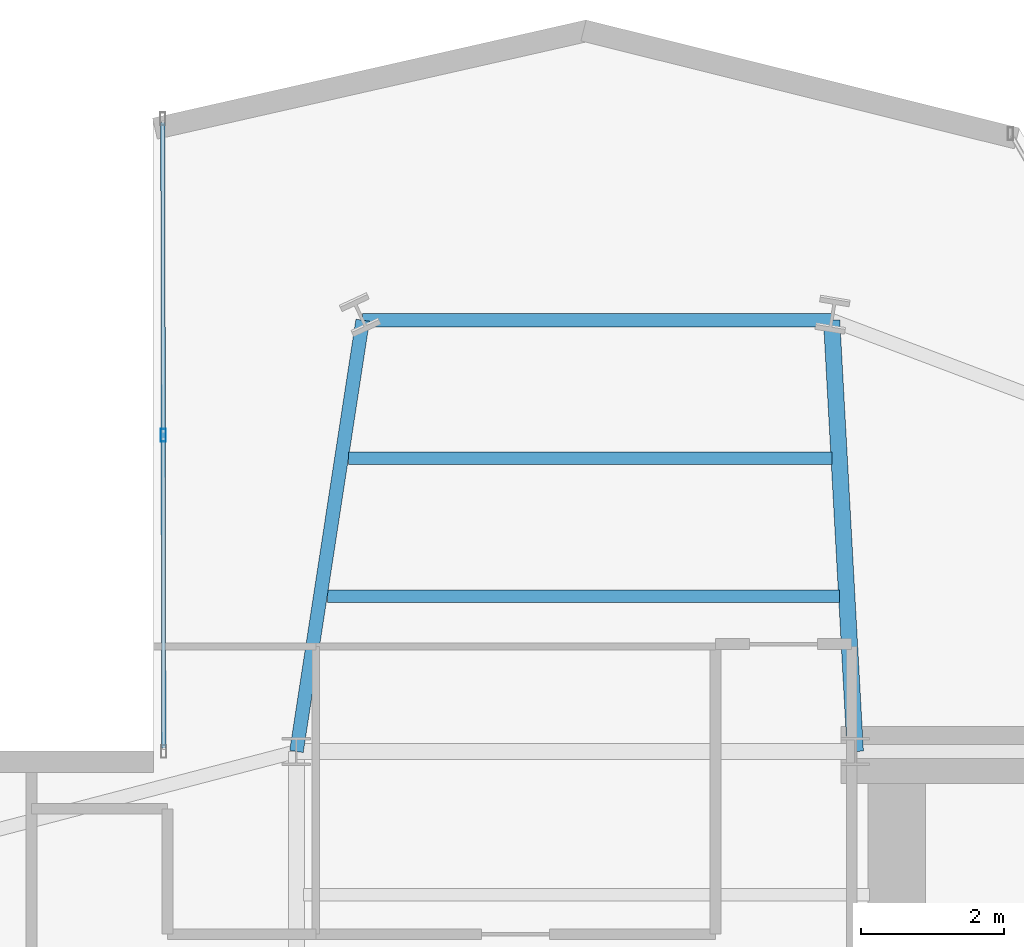
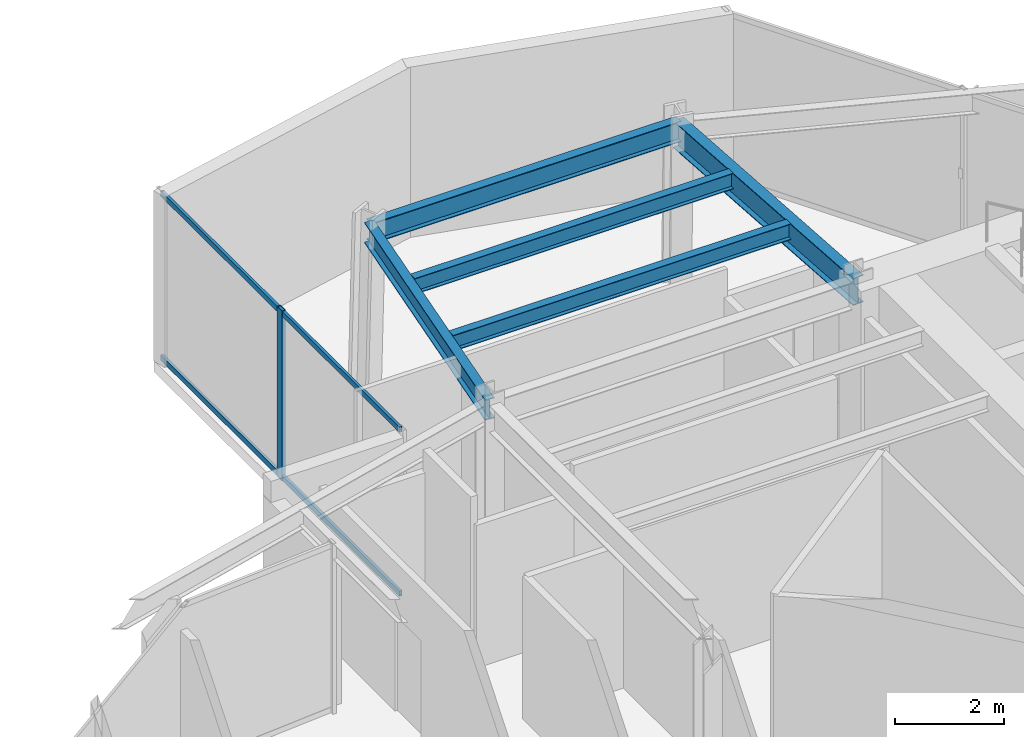
# One storey, part 11 of 25: 5 beams, 3 members, 1 element without a shape of its own.
"""IFC4 building model written with IfcOpenShell, lengths in metres."""

from ifc_helpers import new_model, si_unit, direction, frame, origin, origin_2d, place, context, subcontext, project, spatial, hollow_rectangle, i_section, extrude, material, layer, layer_set, material_profile, profile_set, type_object, element, aggregate, save


model = new_model("IFC4")

# Units and contexts
model_context = context("Model", 3, precision=1e-05, world=origin(), true_north=direction((0.0, 1.0)))
body_context = subcontext(model_context, "Body", "Model", "MODEL_VIEW")
ifc_project = project(units=[si_unit("LENGTHUNIT", "METRE"), si_unit("AREAUNIT", "SQUARE_METRE"), si_unit("VOLUMEUNIT", "CUBIC_METRE"), si_unit("PLANEANGLEUNIT", "RADIAN"), si_unit("MASSUNIT", "GRAM", prefix="KILO")], contexts=[model_context])

# Site, building, storey
site_placement = place(None, origin())
site = spatial("IfcSite", under=ifc_project, at=site_placement, CompositionType="ELEMENT")
building_placement = place(site_placement, origin())
building = spatial("IfcBuilding", under=site, at=building_placement, Name="Veymaron Broadcast Tower", CompositionType="ELEMENT")
storey_placement = place(building_placement, frame((0.0, 0.0, 173.550048828125)))
storey = spatial("IfcBuildingStorey", under=building, at=storey_placement, Name="L40", CompositionType="ELEMENT", Elevation=173.550048828125)

# Beams
ifc_material_1 = material(Name="Structural steel ASTM A992 Gr 50", Category="steel")
ifc_material_profile_1 = material_profile(ifc_material_1, i_section(OverallWidth=0.22802734375, OverallDepth=0.60791015625, WebThickness=0.01123046875, FlangeThickness=0.017333984375, at=origin_2d()), Name="W610X113")
ifc_profile_set_1 = profile_set([ifc_material_profile_1], Name="Structural steel ASTM A992 Gr 50")
beam_type_1 = type_object("IfcBeamType", Name="BM-FG2", PredefinedType="BEAM", material=ifc_profile_set_1)
beam_1_placement = place(storey_placement, frame((39.0, 32.0, 3.505859375), z_axis=(-0.054747841955, 0.998500212219, 0.0), x_axis=(-0.998500212219, -0.054747841955, 0.0)))
element("IfcBeam", 1, at=beam_1_placement, inside=storey, type_object=beam_type_1, Name="L40 primary structural floor girder", PredefinedType="BEAM", context=body_context, shape_type="SweptSolid", body=[
    extrude(i_section(OverallWidth=0.22802734375, OverallDepth=0.60791015625, WebThickness=0.01123046875, FlangeThickness=0.017333984375, at=origin_2d()), origin(), (0.0, 0.0, 1.0), 6.029052734375),
])
ifc_material_profile_2 = material_profile(ifc_material_1, i_section(OverallWidth=0.1708984375, OverallDepth=0.35498046875, WebThickness=0.007080078125, FlangeThickness=0.01171875, at=origin_2d()), Name="W360X51")
ifc_profile_set_2 = profile_set([ifc_material_profile_2], Name="Structural steel ASTM A992 Gr 50")
beam_type_2 = type_object("IfcBeamType", Name="BM-JS2", PredefinedType="JOIST", material=ifc_profile_set_2)
beam_2_placement = place(storey_placement, frame((31.632568359375, 34.167236328125, 3.632568359375), z_axis=(1.0, 0.0, 0.0), x_axis=(0.0, 1.0, 0.0)))
element("IfcBeam", 2, at=beam_2_placement, inside=storey, type_object=beam_type_2, Name="L40 Arm-B secondary joist 1", PredefinedType="JOIST", context=body_context, shape_type="SweptSolid", body=[
    extrude(i_section(OverallWidth=0.1708984375, OverallDepth=0.35498046875, WebThickness=0.007080078125, FlangeThickness=0.01171875, at=origin_2d()), origin(), (0.0, 0.0, 1.0), 7.148681640625),
])
beam_3_placement = place(storey_placement, frame((31.92822265625, 36.093505859375, 3.632568359375), z_axis=(1.0, 0.0, 0.0), x_axis=(0.0, 1.0, 0.0)))
element("IfcBeam", 3, at=beam_3_placement, inside=storey, type_object=beam_type_2, Name="L40 Arm-B secondary joist 2", PredefinedType="JOIST", context=body_context, shape_type="SweptSolid", body=[
    extrude(i_section(OverallWidth=0.1708984375, OverallDepth=0.35498046875, WebThickness=0.007080078125, FlangeThickness=0.01171875, at=origin_2d()), origin(), (0.0, 0.0, 1.0), 6.747314453125),
])
ifc_material_profile_3 = material_profile(ifc_material_1, i_section(OverallWidth=0.19091796875, OverallDepth=0.4599609375, WebThickness=0.010009765625, FlangeThickness=0.01611328125, at=origin_2d()), Name="W460X82")
ifc_profile_set_3 = profile_set([ifc_material_profile_3], Name="Structural steel ASTM A992 Gr 50")
beam_type_3 = type_object("IfcBeamType", Name="BM-SP1", PredefinedType="SPANDREL", material=ifc_profile_set_3)
beam_4_placement = place(storey_placement, frame((31.199951171875, 32.0, 3.579833984375), z_axis=(0.151722822528, 0.988423080024, 0.0), x_axis=(-0.988423080024, 0.151722822528, 0.0)))
element("IfcBeam", 4, at=beam_4_placement, inside=storey, type_object=beam_type_3, Name="L40 primary structural floor girder", PredefinedType="SPANDREL", context=body_context, shape_type="SweptSolid", body=[
    extrude(i_section(OverallWidth=0.19091796875, OverallDepth=0.4599609375, WebThickness=0.010009765625, FlangeThickness=0.01611328125, at=origin_2d()), origin(), (0.0, 0.0, 1.0), 6.090576171875),
])
beam_5_placement = place(storey_placement, frame((32.1240234375, 38.02001953125, 3.579833984375), z_axis=(1.0, 0.0, 0.0), x_axis=(0.0, 1.0, 0.0)))
element("IfcBeam", 5, at=beam_5_placement, inside=storey, type_object=beam_type_3, Name="L40 primary structural floor girder", PredefinedType="SPANDREL", context=body_context, shape_type="SweptSolid", body=[
    extrude(i_section(OverallWidth=0.19091796875, OverallDepth=0.4599609375, WebThickness=0.010009765625, FlangeThickness=0.01611328125, at=origin_2d()), origin(), (0.0, 0.0, 1.0), 6.5458984375),
])

# Curtain wall, members
ifc_material_2 = material(Name="Anodised aluminium AA 6063-T6 and laminated low-E dark glass", Category="aluminium")
ifc_layer = layer(ifc_material_2, 0.179931640625)
ifc_layer_set = layer_set([ifc_layer], Name="Anodised aluminium AA 6063-T6 and laminated low-E dark glass")
curtain_wall_type = type_object("IfcCurtainWallType", Name="CW-SYS-03", PredefinedType="NOTDEFINED", material=ifc_layer_set)
curtain_wall_placement = place(storey_placement, origin())
curtain_wall = element("IfcCurtainWall", 6, at=curtain_wall_placement, inside=storey, type_object=curtain_wall_type, Name="L40 dark-glass curtain wall CW-L40-E8-1", PredefinedType="NOTDEFINED")
ifc_material_3 = material(Name="Anodised aluminium AA 6063-T6", Category="aluminium")
ifc_material_profile_4 = material_profile(ifc_material_3, hollow_rectangle(XDim=0.074951171875, YDim=0.179931640625, WallThickness=0.0048828125, at=origin_2d()), Name="AL180X75X5")
ifc_profile_set_4 = profile_set([ifc_material_profile_4], Name="Anodised aluminium AA 6063-T6")
member_type_1 = type_object("IfcMemberType", Name="CW-MUL-02", PredefinedType="MULLION", material=ifc_profile_set_4)
member_1_placement = place(storey_placement, frame((29.34033203125, 36.415771484375, 0.0), z_axis=(0.0, 0.0, 1.0), x_axis=(1.0, 0.0, 0.0)))
member_1 = element("IfcMember", 7, at=member_1_placement, type_object=member_type_1, Name="CW-L40-E8-1 mullion 1", PredefinedType="MULLION", context=body_context, shape_type="SweptSolid", body=[
    extrude(hollow_rectangle(XDim=0.074951171875, YDim=0.179931640625, WallThickness=0.0048828125, at=origin_2d()), origin(), (0.0, 0.0, 1.0), 3.81005859375),
])
ifc_material_profile_5 = material_profile(ifc_material_3, hollow_rectangle(XDim=0.06005859375, YDim=0.1201171875, WallThickness=0.00390625, at=origin_2d()), Name="AL120X60X4")
ifc_profile_set_5 = profile_set([ifc_material_profile_5], Name="Anodised aluminium AA 6063-T6")
member_type_2 = type_object("IfcMemberType", Name="CW-TRN-02", PredefinedType="USERDEFINED", material=ifc_profile_set_5)
member_2_placement = place(storey_placement, frame((29.333984375, 40.78125, 0.070068359375), z_axis=(0.001454055842, -0.99999894286, 0.0), x_axis=(0.99999894286, 0.001454055842, 0.0)))
member_2 = element("IfcMember", 8, at=member_2_placement, type_object=member_type_2, Name="CW-L40-E8-1 transom B", ObjectType="TRANSOM", PredefinedType="USERDEFINED", context=body_context, shape_type="SweptSolid", body=[
    extrude(hollow_rectangle(XDim=0.06005859375, YDim=0.1201171875, WallThickness=0.00390625, at=origin_2d()), origin(), (0.0, 0.0, 1.0), 8.73095703125),
])
member_3_placement = place(storey_placement, frame((29.333984375, 40.78125, 3.739990234375), z_axis=(0.001454055842, -0.99999894286, 0.0), x_axis=(0.99999894286, 0.001454055842, 0.0)))
member_3 = element("IfcMember", 9, at=member_3_placement, type_object=member_type_2, Name="CW-L40-E8-1 transom T", ObjectType="TRANSOM", PredefinedType="USERDEFINED", context=body_context, shape_type="SweptSolid", body=[
    extrude(hollow_rectangle(XDim=0.06005859375, YDim=0.1201171875, WallThickness=0.00390625, at=origin_2d()), origin(), (0.0, 0.0, 1.0), 8.73095703125),
])
aggregate(curtain_wall, [member_1, member_2, member_3])

save(model, "model.ifc")
